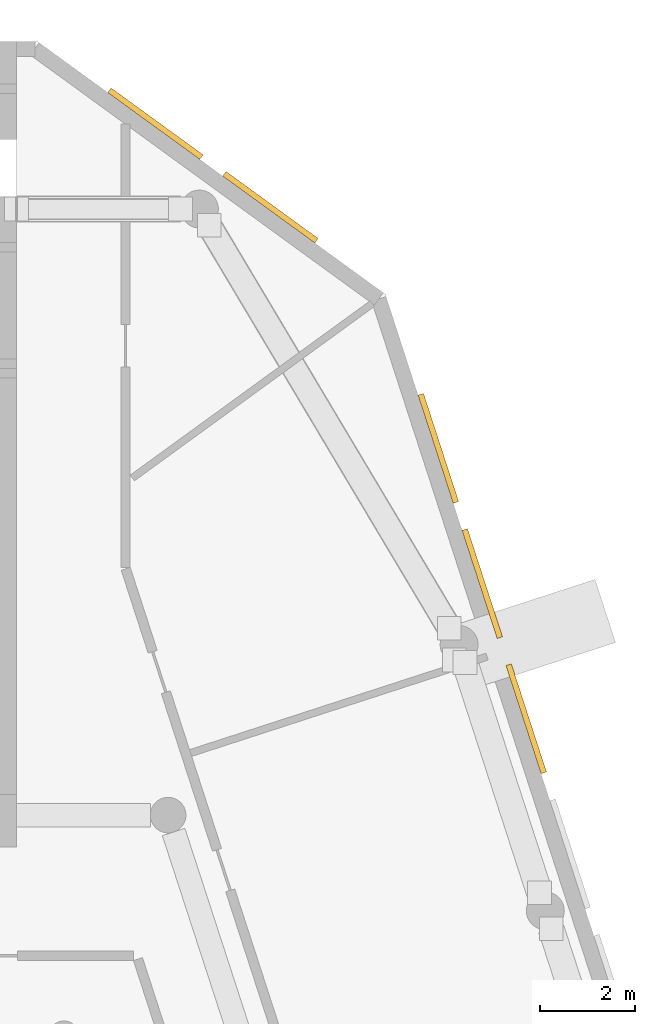
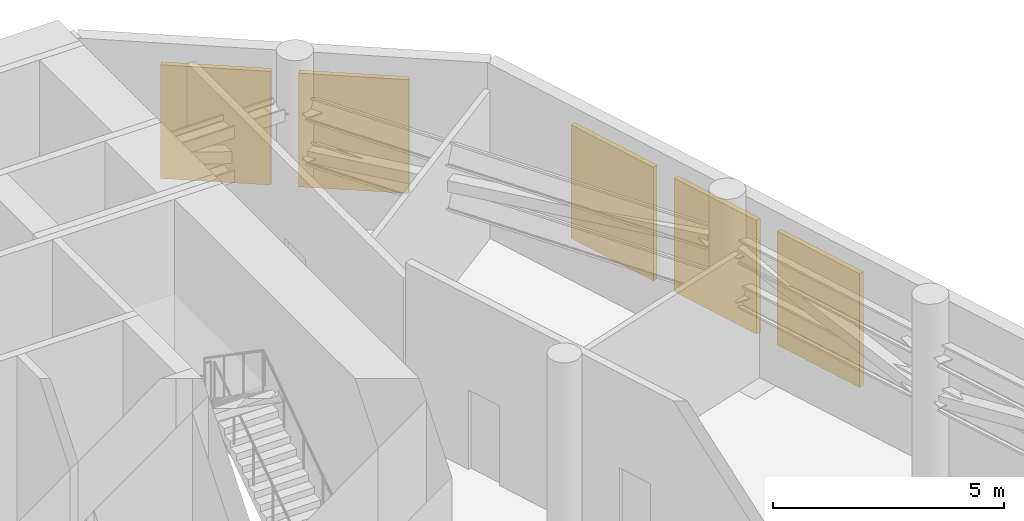
# One storey, part 15 of 15: 5 shading devices.
"""IFC4 building model written with IfcOpenShell, lengths in metres."""

import ifcopenshell
import ifcopenshell.guid

model = None  # the IFC model being written
_history = None  # IfcOwnerHistory: only IFC2X3 demands one
_inside = {}  # id of a spatial element -> (the spatial element, [elements in it])
_under = {}  # id of a project, library or spatial element -> (it, [spatial elements below it])
_declared = {}  # id of a project -> (the project, [libraries it declares])
_typed = {}  # id of a type object -> (the type object, [elements of that type])
_made_of = {}  # id of a material, layer set ... -> (it, [elements and type objects made of it])


def new_model(schema):
    """Start an empty IFC model of exactly this schema.

    Asked for "IFC4X3", IfcOpenShell would pick the latest addendum, in which some entities
    have other attributes; the version numbers below select the first issue.
    IFC2X3 requires an IfcOwnerHistory on every rooted entity: one is made here for all.
    """
    global model, _history
    if schema == "IFC4X3":
        model = ifcopenshell.file(schema_version=(4, 3, 0, 0))
    else:
        model = ifcopenshell.file(schema=schema)
    _inside.clear()
    _under.clear()
    _declared.clear()
    _typed.clear()
    _made_of.clear()
    _history = None
    if model.schema == "IFC2X3":
        org = make("IfcOrganization", Name="unknown")
        user = make(
            "IfcPersonAndOrganization",
            ThePerson=make("IfcPerson", FamilyName="unknown"),
            TheOrganization=org,
        )
        app = make(
            "IfcApplication",
            ApplicationDeveloper=org,
            Version="unknown",
            ApplicationFullName="unknown",
            ApplicationIdentifier="unknown",
        )
        _history = make(
            "IfcOwnerHistory",
            OwningUser=user,
            OwningApplication=app,
            ChangeAction="ADDED",
            CreationDate=0,
        )
    return model


def make(cls, **values):
    """One entity of the class cls with the attributes given. An attribute that is None is left unset."""
    return model.create_entity(
        cls, **{name: value for name, value in values.items() if value is not None}
    )


def rooted(cls, **values):
    """An entity with a GlobalId (a new one), such as an element, a storey or a relation."""
    return make(cls, GlobalId=ifcopenshell.guid.new(), OwnerHistory=_history, **values)


def si_unit(unit_type, name, prefix=None):
    """IfcSIUnit, for example si_unit("LENGTHUNIT", "METRE", prefix="MILLI")."""
    return make("IfcSIUnit", UnitType=unit_type, Prefix=prefix, Name=name)


def assignment(units):
    """IfcUnitAssignment: the units of a project."""
    return None if units is None else make("IfcUnitAssignment", Units=units)


def point(xyz):
    """IfcCartesianPoint."""
    return None if xyz is None else make("IfcCartesianPoint", Coordinates=xyz)


def direction(xyz):
    """IfcDirection."""
    return None if xyz is None else make("IfcDirection", DirectionRatios=xyz)


def frame(location, z_axis=None, x_axis=None):
    """IfcAxis2Placement3D, a coordinate frame: its origin and axes. An axis left out is left unset."""
    return make(
        "IfcAxis2Placement3D",
        Location=point(location),
        Axis=direction(z_axis),
        RefDirection=direction(x_axis),
    )


def frame_2d(location, x_axis=None):
    """IfcAxis2Placement2D, a coordinate frame in the plane: its origin and x axis."""
    return make(
        "IfcAxis2Placement2D", Location=point(location), RefDirection=direction(x_axis)
    )


def origin():
    """The frame at (0, 0, 0) with its axes left unset."""
    return frame((0.0, 0.0, 0.0))


def origin_2d():
    """The frame at (0, 0) in the plane with its x axis left unset."""
    return frame_2d((0.0, 0.0))


def place(relative_to, where):
    """IfcLocalPlacement: puts the frame where relative to a parent placement (None: the world)."""
    return make(
        "IfcLocalPlacement", PlacementRelTo=relative_to, RelativePlacement=where
    )


def context(
    kind, dimensions, precision=None, world=None, true_north=None, identifier=None
):
    """IfcGeometricRepresentationContext, for example the 3D "Model" context."""
    return make(
        "IfcGeometricRepresentationContext",
        ContextIdentifier=identifier,
        ContextType=kind,
        CoordinateSpaceDimension=dimensions,
        Precision=precision,
        WorldCoordinateSystem=world,
        TrueNorth=true_north,
    )


def subcontext(parent, identifier, kind, view, scale=None):
    """IfcGeometricRepresentationSubContext, for example "Body" below "Model"."""
    return make(
        "IfcGeometricRepresentationSubContext",
        ContextIdentifier=identifier,
        ContextType=kind,
        ParentContext=parent,
        TargetScale=scale,
        TargetView=view,
    )


def project(units=None, contexts=None):
    """IfcProject with its units and contexts."""
    return rooted(
        "IfcProject",
        Name="project",
        RepresentationContexts=contexts,
        UnitsInContext=assignment(units),
    )


def spatial(cls, under=None, at=None, **own):
    """A site, building, storey or space (cls), placed at a placement, below another one or the project."""
    s = rooted(cls, ObjectPlacement=at, **own)
    if under is not None:
        _under.setdefault(under.id(), (under, []))[1].append(s)
    return s


def profile(cls, at=None, kind="AREA", **sizes):
    """A parametric profile (cls). Its sizes go by their IFC names, for example OverallWidth=200.0."""
    return make(cls, ProfileType=kind, Position=at, **sizes)


def rectangle(**sizes):
    """IfcRectangleProfileDef."""
    return profile("IfcRectangleProfileDef", **sizes)


def extrude(swept, where, along, depth):
    """IfcExtrudedAreaSolid: the profile swept, set in the frame where, extruded along a direction by depth."""
    return make(
        "IfcExtrudedAreaSolid",
        SweptArea=swept,
        Position=where,
        ExtrudedDirection=direction(along),
        Depth=depth,
    )


def shape(context_of_items, identifier, shape_type, items):
    """IfcShapeRepresentation: the items that make up one representation, for example the "Body"."""
    return make(
        "IfcShapeRepresentation",
        ContextOfItems=context_of_items,
        RepresentationIdentifier=identifier,
        RepresentationType=shape_type,
        Items=items,
    )


def material(Name=None, Category=None):
    """IfcMaterial."""
    return make("IfcMaterial", Name=Name, Category=Category)


def made_of(thing, what):
    """Note that an element or type object is made of a material, layer set ...; save() writes the relation."""
    if what is not None:
        _made_of.setdefault(what.id(), (what, []))[1].append(thing)
    return thing


def type_object(cls, material=None, **own):
    """A type object (cls), such as IfcWallType, which elements share."""
    return made_of(rooted(cls, **own), material)


def element(
    cls,
    number,
    at=None,
    inside=None,
    cuts=None,
    type_object=None,
    material=None,
    context=None,
    identifier="Body",
    shape_type=None,
    held_by="IfcProductDefinitionShape",
    body=None,
    shapes=None,
    **own,
):
    """One element of the class cls, such as IfcWall. Its Tag is "e" and its number.

    at: its placement. inside: the storey or other place that contains it. cuts: it is an
    opening in that element (IfcRelVoidsElement). A single representation is given by context,
    identifier, shape_type and body (its items); several are given by shapes. held_by: the class
    of the entity that holds the representations. save() writes the other relations.
    """
    e = rooted(cls, Tag="e%d" % number, ObjectPlacement=at, **own)
    if body is not None:
        shapes = [shape(context, identifier, shape_type, body)]
    if shapes is not None:
        e.Representation = make(held_by, Representations=shapes)
    if inside is not None:
        _inside.setdefault(inside.id(), (inside, []))[1].append(e)
    if cuts is not None:
        rooted(
            "IfcRelVoidsElement", RelatingBuildingElement=cuts, RelatedOpeningElement=e
        )
    if type_object is not None:
        _typed.setdefault(type_object.id(), (type_object, []))[1].append(e)
    return made_of(e, material)


def aggregate(whole, parts):
    """IfcRelAggregates: a whole, such as a stair, and the parts it consists of."""
    return rooted("IfcRelAggregates", RelatingObject=whole, RelatedObjects=parts)


def save(model, path):
    """Write the relations noted so far, then the file.

    IfcRelAggregates (storeys below a building ...), IfcRelContainedInSpatialStructure (elements
    in a storey), IfcRelDefinesByType, IfcRelAssociatesMaterial and IfcRelDeclares: one each for
    every whole, place, type object, material and project.
    """
    for whole, parts in _under.values():
        aggregate(whole, parts)
    for where, things in _inside.values():
        rooted(
            "IfcRelContainedInSpatialStructure",
            RelatedElements=things,
            RelatingStructure=where,
        )
    for kind, things in _typed.values():
        rooted("IfcRelDefinesByType", RelatedObjects=things, RelatingType=kind)
    for what, things in _made_of.values():
        rooted("IfcRelAssociatesMaterial", RelatedObjects=things, RelatingMaterial=what)
    for by, libraries in _declared.values():
        rooted("IfcRelDeclares", RelatingContext=by, RelatedDefinitions=libraries)
    model.write(path)


model = new_model("IFC4")

# Units and contexts
model_context = context("Model", 3, precision=1e-05, world=origin(), true_north=direction((0.0, 1.0)))
body_context = subcontext(model_context, "Body", "Model", "MODEL_VIEW")
ifc_project = project(units=[si_unit("LENGTHUNIT", "METRE"), si_unit("AREAUNIT", "SQUARE_METRE"), si_unit("VOLUMEUNIT", "CUBIC_METRE"), si_unit("PLANEANGLEUNIT", "RADIAN"), si_unit("MASSUNIT", "GRAM", prefix="KILO")], contexts=[model_context])

# Site, building, storey
site_placement = place(None, origin())
site = spatial("IfcSite", under=ifc_project, at=site_placement, CompositionType="ELEMENT")
building_placement = place(site_placement, origin())
building = spatial("IfcBuilding", under=site, at=building_placement, Name="White Candle Pilgrim Tower", CompositionType="ELEMENT")
storey_placement = place(building_placement, frame((0.0, 0.0, 137.60009765625)))
storey = spatial("IfcBuildingStorey", under=building, at=storey_placement, Name="L31", CompositionType="ELEMENT", Elevation=137.60009765625)

# Shading devices
ifc_material = material(Name="Aluminium", Category="aluminium")
shading_device_type = type_object("IfcShadingDeviceType", Name="Plant louvre LV1 2400x3000 aluminium framed", PredefinedType="USERDEFINED", material=ifc_material)
for number, where, z_axis, x_axis, name in (
    (1, (91.756103515625, 73.70458984375, 0.7998046875), (0.0, 0.0, 1.0), (-0.309017015705, 0.951056509365, 0.0), "Plant louvre L31 ENE 4"),
    (2, (90.8291015625, 76.5576171875, 0.7998046875), (0.0, 0.0, 1.0), (-0.309017015705, 0.951056509365, 0.0), "Plant louvre L31 ENE 5"),
    (3, (89.902099609375, 79.410888671875, 0.7998046875), (0.0, 0.0, 1.0), (-0.309017015705, 0.951056509365, 0.0), "Plant louvre L31 ENE 6"),
    (4, (86.3583984375, 84.49853515625, 0.7998046875), (0.0, 0.0, 1.0), (-0.809016970913, 0.587785284585, 0.0), "Plant louvre L31 NE chamfer 1"),
    (5, (83.931396484375, 86.261962890625, 0.7998046875), (0.0, 0.0, 1.0), (-0.809016970913, 0.587785284585, 0.0), "Plant louvre L31 NE chamfer 2"),
):
    element("IfcShadingDevice", number, at=place(storey_placement, frame(where, z_axis=z_axis, x_axis=x_axis)), inside=storey, type_object=shading_device_type, Name=name, ObjectType="LOUVRE", PredefinedType="USERDEFINED", context=body_context, shape_type="SweptSolid", body=[
        extrude(rectangle(XDim=2.39990234375, YDim=0.1201171875, at=origin_2d()), origin(), (0.0, 0.0, 1.0), 3.0),
    ])

save(model, "model.ifc")
